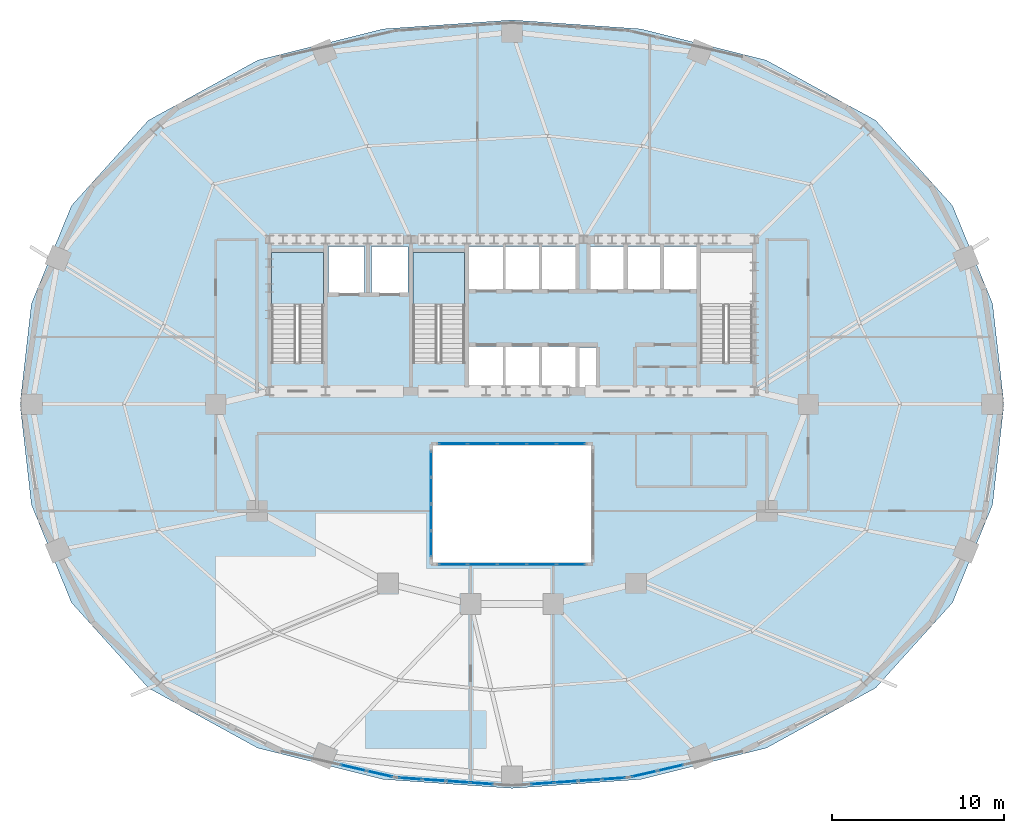
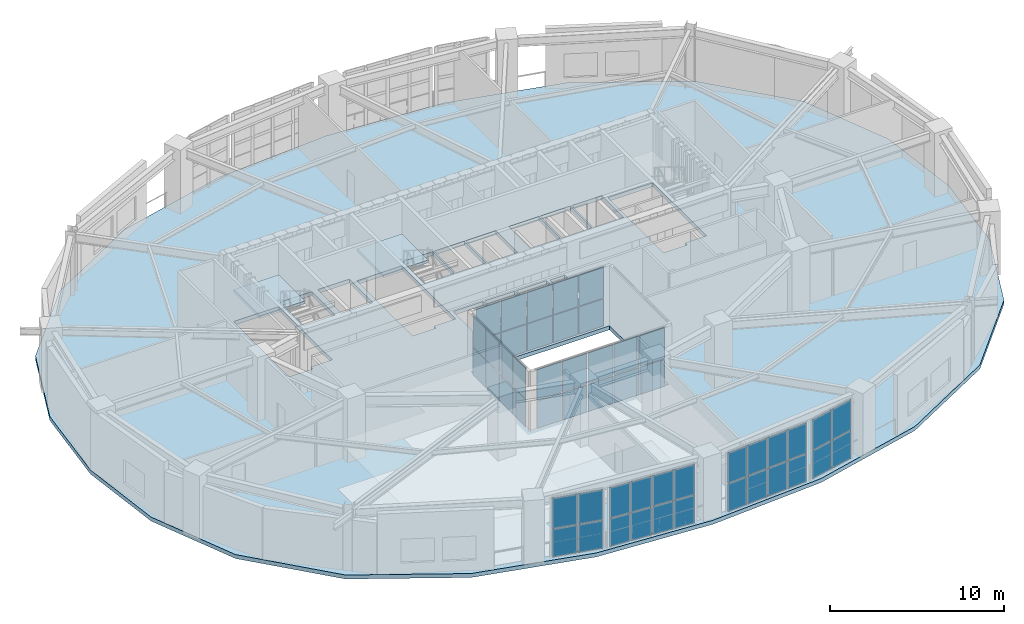
# One storey, part 8 of 15: 52 plates, 3 slabs, 9 elements without a shape of their own.
"""IFC4 building model written with IfcOpenShell, lengths in metres."""

from ifc_helpers import new_model, si_unit, direction, frame, origin, origin_2d, place, context, subcontext, project, spatial, polyline, rectangle, outline, extrude, material, layer, layer_set, type_object, element, aggregate, save


model = new_model("IFC4")

# Units and contexts
model_context = context("Model", 3, precision=1e-05, world=origin(), true_north=direction((0.0, 1.0)))
body_context = subcontext(model_context, "Body", "Model", "MODEL_VIEW")
ifc_project = project(units=[si_unit("LENGTHUNIT", "METRE"), si_unit("AREAUNIT", "SQUARE_METRE"), si_unit("VOLUMEUNIT", "CUBIC_METRE"), si_unit("PLANEANGLEUNIT", "RADIAN"), si_unit("MASSUNIT", "GRAM", prefix="KILO")], contexts=[model_context])

# Site, building, storey
site_placement = place(None, origin())
site = spatial("IfcSite", under=ifc_project, at=site_placement, CompositionType="ELEMENT")
building_placement = place(site_placement, origin())
building = spatial("IfcBuilding", under=site, at=building_placement, Name="Haldorwick Loom Tower", CompositionType="ELEMENT")
storey_placement = place(building_placement, frame((0.0, 0.0, 105.949951171875)))
storey = spatial("IfcBuildingStorey", under=building, at=storey_placement, Name="L28", CompositionType="ELEMENT", Elevation=105.949951171875)

# Curtain wall, plates
ifc_material_1 = material(Name="Thermally Broken Anodized Aluminium Curtain Wall Framing", Category="aluminium")
curtain_wall_type_1 = type_object("IfcCurtainWallType", Name="ARC-CW-03", PredefinedType="NOTDEFINED", material=ifc_material_1)
curtain_wall_1_placement = place(storey_placement, origin())
curtain_wall_1 = element("IfcCurtainWall", 1, at=curtain_wall_1_placement, inside=storey, type_object=curtain_wall_type_1, Name="L28 Atrium Glazed Screen S", PredefinedType="NOTDEFINED")
ifc_material_2 = material(Name="Triple-Glazed Low-E Argon Insulated Glazing Unit", Category="glass")
ifc_layer_1 = layer(ifc_material_2, 0.04296875, Name="Triple-Glazed Low-E Argon Insulated Glazing Unit", Category="glass")
ifc_layer_set_1 = layer_set([ifc_layer_1], Name="Triple-Glazed Low-E Argon Insulated Glazing Unit")
plate_type_1 = type_object("IfcPlateType", Name="ARC-CWP-03", PredefinedType="CURTAIN_PANEL", material=ifc_layer_set_1)
plate_1_placement = place(storey_placement, frame((39.423583984375, 16.699951171875, 0.066162109375), z_axis=(0.0, 0.0, 1.0), x_axis=(-1.0, 0.0, 0.0)))
plate_1 = element("IfcPlate", 2, at=plate_1_placement, type_object=plate_type_1, Name="CW-03 panel 1.1", PredefinedType="CURTAIN_PANEL", context=body_context, shape_type="SweptSolid", body=[
    extrude(rectangle(XDim=1.62109375, YDim=0.04296875, at=origin_2d()), origin(), (0.0, 0.0, 1.0), 1.90087890625),
])
plate_2_placement = place(storey_placement, frame((39.423583984375, 16.699951171875, 2.033203125), z_axis=(0.0, 0.0, 1.0), x_axis=(-1.0, 0.0, 0.0)))
plate_2 = element("IfcPlate", 3, at=plate_2_placement, type_object=plate_type_1, Name="CW-03 panel 1.2", PredefinedType="CURTAIN_PANEL", context=body_context, shape_type="SweptSolid", body=[
    extrude(rectangle(XDim=1.62109375, YDim=0.04296875, at=origin_2d()), origin(), (0.0, 0.0, 1.0), 2.160888671875),
])
plate_3_placement = place(storey_placement, frame((37.719970703125, 16.699951171875, 0.066162109375), z_axis=(0.0, 0.0, 1.0), x_axis=(-1.0, 0.0, 0.0)))
plate_3 = element("IfcPlate", 4, at=plate_3_placement, type_object=plate_type_1, Name="CW-03 panel 2.1", PredefinedType="CURTAIN_PANEL", context=body_context, shape_type="SweptSolid", body=[
    extrude(rectangle(XDim=1.654052734375, YDim=0.04296875, at=origin_2d()), origin(), (0.0, 0.0, 1.0), 1.90087890625),
])
plate_4_placement = place(storey_placement, frame((37.719970703125, 16.699951171875, 2.033203125), z_axis=(0.0, 0.0, 1.0), x_axis=(-1.0, 0.0, 0.0)))
plate_4 = element("IfcPlate", 5, at=plate_4_placement, type_object=plate_type_1, Name="CW-03 panel 2.2", PredefinedType="CURTAIN_PANEL", context=body_context, shape_type="SweptSolid", body=[
    extrude(rectangle(XDim=1.654052734375, YDim=0.04296875, at=origin_2d()), origin(), (0.0, 0.0, 1.0), 2.160888671875),
])
plate_5_placement = place(storey_placement, frame((36.0, 16.699951171875, 0.066162109375), z_axis=(0.0, 0.0, 1.0), x_axis=(-1.0, 0.0, 0.0)))
plate_5 = element("IfcPlate", 6, at=plate_5_placement, type_object=plate_type_1, Name="CW-03 panel 3.1", PredefinedType="CURTAIN_PANEL", context=body_context, shape_type="SweptSolid", body=[
    extrude(rectangle(XDim=1.654052734375, YDim=0.04296875, at=origin_2d()), origin(), (0.0, 0.0, 1.0), 1.90087890625),
])
plate_6_placement = place(storey_placement, frame((36.0, 16.699951171875, 2.033203125), z_axis=(0.0, 0.0, 1.0), x_axis=(-1.0, 0.0, 0.0)))
plate_6 = element("IfcPlate", 7, at=plate_6_placement, type_object=plate_type_1, Name="CW-03 panel 3.2", PredefinedType="CURTAIN_PANEL", context=body_context, shape_type="SweptSolid", body=[
    extrude(rectangle(XDim=1.654052734375, YDim=0.04296875, at=origin_2d()), origin(), (0.0, 0.0, 1.0), 2.160888671875),
])
plate_7_placement = place(storey_placement, frame((34.280029296875, 16.699951171875, 0.066162109375), z_axis=(0.0, 0.0, 1.0), x_axis=(-1.0, 0.0, 0.0)))
plate_7 = element("IfcPlate", 8, at=plate_7_placement, type_object=plate_type_1, Name="CW-03 panel 4.1", PredefinedType="CURTAIN_PANEL", context=body_context, shape_type="SweptSolid", body=[
    extrude(rectangle(XDim=1.654052734375, YDim=0.04296875, at=origin_2d()), origin(), (0.0, 0.0, 1.0), 1.90087890625),
])
plate_8_placement = place(storey_placement, frame((34.280029296875, 16.699951171875, 2.033203125), z_axis=(0.0, 0.0, 1.0), x_axis=(-1.0, 0.0, 0.0)))
plate_8 = element("IfcPlate", 9, at=plate_8_placement, type_object=plate_type_1, Name="CW-03 panel 4.2", PredefinedType="CURTAIN_PANEL", context=body_context, shape_type="SweptSolid", body=[
    extrude(rectangle(XDim=1.654052734375, YDim=0.04296875, at=origin_2d()), origin(), (0.0, 0.0, 1.0), 2.160888671875),
])
plate_9_placement = place(storey_placement, frame((32.576416015625, 16.699951171875, 0.066162109375), z_axis=(0.0, 0.0, 1.0), x_axis=(-1.0, 0.0, 0.0)))
plate_9 = element("IfcPlate", 10, at=plate_9_placement, type_object=plate_type_1, Name="CW-03 panel 5.1", PredefinedType="CURTAIN_PANEL", context=body_context, shape_type="SweptSolid", body=[
    extrude(rectangle(XDim=1.62109375, YDim=0.04296875, at=origin_2d()), origin(), (0.0, 0.0, 1.0), 1.90087890625),
])
plate_10_placement = place(storey_placement, frame((32.576416015625, 16.699951171875, 2.033203125), z_axis=(0.0, 0.0, 1.0), x_axis=(-1.0, 0.0, 0.0)))
plate_10 = element("IfcPlate", 11, at=plate_10_placement, type_object=plate_type_1, Name="CW-03 panel 5.2", PredefinedType="CURTAIN_PANEL", context=body_context, shape_type="SweptSolid", body=[
    extrude(rectangle(XDim=1.62109375, YDim=0.04296875, at=origin_2d()), origin(), (0.0, 0.0, 1.0), 2.160888671875),
])
aggregate(curtain_wall_1, [plate_1, plate_2, plate_3, plate_4, plate_5, plate_6, plate_7, plate_8, plate_9, plate_10])

curtain_wall_2_placement = place(storey_placement, origin())
curtain_wall_2 = element("IfcCurtainWall", 12, at=curtain_wall_2_placement, inside=storey, type_object=curtain_wall_type_1, Name="L28 Atrium Glazed Screen N", PredefinedType="NOTDEFINED")
plate_11_placement = place(storey_placement, frame((32.576416015625, 23.699951171875, 0.066162109375), z_axis=(0.0, 0.0, 1.0), x_axis=(1.0, 0.0, 0.0)))
plate_11 = element("IfcPlate", 13, at=plate_11_placement, type_object=plate_type_1, Name="CW-03 panel 1.1", PredefinedType="CURTAIN_PANEL", context=body_context, shape_type="SweptSolid", body=[
    extrude(rectangle(XDim=1.62109375, YDim=0.04296875, at=origin_2d()), origin(), (0.0, 0.0, 1.0), 1.90087890625),
])
plate_12_placement = place(storey_placement, frame((32.576416015625, 23.699951171875, 2.033203125), z_axis=(0.0, 0.0, 1.0), x_axis=(1.0, 0.0, 0.0)))
plate_12 = element("IfcPlate", 14, at=plate_12_placement, type_object=plate_type_1, Name="CW-03 panel 1.2", PredefinedType="CURTAIN_PANEL", context=body_context, shape_type="SweptSolid", body=[
    extrude(rectangle(XDim=1.62109375, YDim=0.04296875, at=origin_2d()), origin(), (0.0, 0.0, 1.0), 2.160888671875),
])
plate_13_placement = place(storey_placement, frame((34.280029296875, 23.699951171875, 0.066162109375), z_axis=(0.0, 0.0, 1.0), x_axis=(1.0, 0.0, 0.0)))
plate_13 = element("IfcPlate", 15, at=plate_13_placement, type_object=plate_type_1, Name="CW-03 panel 2.1", PredefinedType="CURTAIN_PANEL", context=body_context, shape_type="SweptSolid", body=[
    extrude(rectangle(XDim=1.654052734375, YDim=0.04296875, at=origin_2d()), origin(), (0.0, 0.0, 1.0), 1.90087890625),
])
plate_14_placement = place(storey_placement, frame((34.280029296875, 23.699951171875, 2.033203125), z_axis=(0.0, 0.0, 1.0), x_axis=(1.0, 0.0, 0.0)))
plate_14 = element("IfcPlate", 16, at=plate_14_placement, type_object=plate_type_1, Name="CW-03 panel 2.2", PredefinedType="CURTAIN_PANEL", context=body_context, shape_type="SweptSolid", body=[
    extrude(rectangle(XDim=1.654052734375, YDim=0.04296875, at=origin_2d()), origin(), (0.0, 0.0, 1.0), 2.160888671875),
])
plate_15_placement = place(storey_placement, frame((36.0, 23.699951171875, 0.066162109375), z_axis=(0.0, 0.0, 1.0), x_axis=(1.0, 0.0, 0.0)))
plate_15 = element("IfcPlate", 17, at=plate_15_placement, type_object=plate_type_1, Name="CW-03 panel 3.1", PredefinedType="CURTAIN_PANEL", context=body_context, shape_type="SweptSolid", body=[
    extrude(rectangle(XDim=1.654052734375, YDim=0.04296875, at=origin_2d()), origin(), (0.0, 0.0, 1.0), 1.90087890625),
])
plate_16_placement = place(storey_placement, frame((36.0, 23.699951171875, 2.033203125), z_axis=(0.0, 0.0, 1.0), x_axis=(1.0, 0.0, 0.0)))
plate_16 = element("IfcPlate", 18, at=plate_16_placement, type_object=plate_type_1, Name="CW-03 panel 3.2", PredefinedType="CURTAIN_PANEL", context=body_context, shape_type="SweptSolid", body=[
    extrude(rectangle(XDim=1.654052734375, YDim=0.04296875, at=origin_2d()), origin(), (0.0, 0.0, 1.0), 2.160888671875),
])
plate_17_placement = place(storey_placement, frame((37.719970703125, 23.699951171875, 0.066162109375), z_axis=(0.0, 0.0, 1.0), x_axis=(1.0, 0.0, 0.0)))
plate_17 = element("IfcPlate", 19, at=plate_17_placement, type_object=plate_type_1, Name="CW-03 panel 4.1", PredefinedType="CURTAIN_PANEL", context=body_context, shape_type="SweptSolid", body=[
    extrude(rectangle(XDim=1.654052734375, YDim=0.04296875, at=origin_2d()), origin(), (0.0, 0.0, 1.0), 1.90087890625),
])
plate_18_placement = place(storey_placement, frame((37.719970703125, 23.699951171875, 2.033203125), z_axis=(0.0, 0.0, 1.0), x_axis=(1.0, 0.0, 0.0)))
plate_18 = element("IfcPlate", 20, at=plate_18_placement, type_object=plate_type_1, Name="CW-03 panel 4.2", PredefinedType="CURTAIN_PANEL", context=body_context, shape_type="SweptSolid", body=[
    extrude(rectangle(XDim=1.654052734375, YDim=0.04296875, at=origin_2d()), origin(), (0.0, 0.0, 1.0), 2.160888671875),
])
plate_19_placement = place(storey_placement, frame((39.423583984375, 23.699951171875, 0.066162109375), z_axis=(0.0, 0.0, 1.0), x_axis=(1.0, 0.0, 0.0)))
plate_19 = element("IfcPlate", 21, at=plate_19_placement, type_object=plate_type_1, Name="CW-03 panel 5.1", PredefinedType="CURTAIN_PANEL", context=body_context, shape_type="SweptSolid", body=[
    extrude(rectangle(XDim=1.62109375, YDim=0.04296875, at=origin_2d()), origin(), (0.0, 0.0, 1.0), 1.90087890625),
])
plate_20_placement = place(storey_placement, frame((39.423583984375, 23.699951171875, 2.033203125), z_axis=(0.0, 0.0, 1.0), x_axis=(1.0, 0.0, 0.0)))
plate_20 = element("IfcPlate", 22, at=plate_20_placement, type_object=plate_type_1, Name="CW-03 panel 5.2", PredefinedType="CURTAIN_PANEL", context=body_context, shape_type="SweptSolid", body=[
    extrude(rectangle(XDim=1.62109375, YDim=0.04296875, at=origin_2d()), origin(), (0.0, 0.0, 1.0), 2.160888671875),
])
aggregate(curtain_wall_2, [plate_11, plate_12, plate_13, plate_14, plate_15, plate_16, plate_17, plate_18, plate_19, plate_20])

curtain_wall_3_placement = place(storey_placement, origin())
curtain_wall_3 = element("IfcCurtainWall", 23, at=curtain_wall_3_placement, inside=storey, type_object=curtain_wall_type_1, Name="L28 Atrium Glazed Screen W", PredefinedType="NOTDEFINED")
plate_21_placement = place(storey_placement, frame((31.300048828125, 17.8916015625, 0.066162109375), z_axis=(0.0, 0.0, 1.0), x_axis=(0.0, 1.0, 0.0)))
plate_21 = element("IfcPlate", 24, at=plate_21_placement, type_object=plate_type_1, Name="CW-03 panel 1.1", PredefinedType="CURTAIN_PANEL", context=body_context, shape_type="SweptSolid", body=[
    extrude(rectangle(XDim=1.450927734375, YDim=0.04296875, at=origin_2d()), origin(), (0.0, 0.0, 1.0), 1.90087890625),
])
plate_22_placement = place(storey_placement, frame((31.300048828125, 17.8916015625, 2.033203125), z_axis=(0.0, 0.0, 1.0), x_axis=(0.0, 1.0, 0.0)))
plate_22 = element("IfcPlate", 25, at=plate_22_placement, type_object=plate_type_1, Name="CW-03 panel 1.2", PredefinedType="CURTAIN_PANEL", context=body_context, shape_type="SweptSolid", body=[
    extrude(rectangle(XDim=1.450927734375, YDim=0.04296875, at=origin_2d()), origin(), (0.0, 0.0, 1.0), 2.160888671875),
])
plate_23_placement = place(storey_placement, frame((31.300048828125, 19.425048828125, 0.066162109375), z_axis=(0.0, 0.0, 1.0), x_axis=(0.0, 1.0, 0.0)))
plate_23 = element("IfcPlate", 26, at=plate_23_placement, type_object=plate_type_1, Name="CW-03 panel 2.1", PredefinedType="CURTAIN_PANEL", context=body_context, shape_type="SweptSolid", body=[
    extrude(rectangle(XDim=1.48388671875, YDim=0.04296875, at=origin_2d()), origin(), (0.0, 0.0, 1.0), 1.90087890625),
])
plate_24_placement = place(storey_placement, frame((31.300048828125, 19.425048828125, 2.033203125), z_axis=(0.0, 0.0, 1.0), x_axis=(0.0, 1.0, 0.0)))
plate_24 = element("IfcPlate", 27, at=plate_24_placement, type_object=plate_type_1, Name="CW-03 panel 2.2", PredefinedType="CURTAIN_PANEL", context=body_context, shape_type="SweptSolid", body=[
    extrude(rectangle(XDim=1.48388671875, YDim=0.04296875, at=origin_2d()), origin(), (0.0, 0.0, 1.0), 2.160888671875),
])
plate_25_placement = place(storey_placement, frame((31.300048828125, 20.97509765625, 0.066162109375), z_axis=(0.0, 0.0, 1.0), x_axis=(0.0, 1.0, 0.0)))
plate_25 = element("IfcPlate", 28, at=plate_25_placement, type_object=plate_type_1, Name="CW-03 panel 3.1", PredefinedType="CURTAIN_PANEL", context=body_context, shape_type="SweptSolid", body=[
    extrude(rectangle(XDim=1.48388671875, YDim=0.04296875, at=origin_2d()), origin(), (0.0, 0.0, 1.0), 1.90087890625),
])
plate_26_placement = place(storey_placement, frame((31.300048828125, 20.97509765625, 2.033203125), z_axis=(0.0, 0.0, 1.0), x_axis=(0.0, 1.0, 0.0)))
plate_26 = element("IfcPlate", 29, at=plate_26_placement, type_object=plate_type_1, Name="CW-03 panel 3.2", PredefinedType="CURTAIN_PANEL", context=body_context, shape_type="SweptSolid", body=[
    extrude(rectangle(XDim=1.48388671875, YDim=0.04296875, at=origin_2d()), origin(), (0.0, 0.0, 1.0), 2.160888671875),
])
plate_27_placement = place(storey_placement, frame((31.300048828125, 22.508544921875, 0.066162109375), z_axis=(0.0, 0.0, 1.0), x_axis=(0.0, 1.0, 0.0)))
plate_27 = element("IfcPlate", 30, at=plate_27_placement, type_object=plate_type_1, Name="CW-03 panel 4.1", PredefinedType="CURTAIN_PANEL", context=body_context, shape_type="SweptSolid", body=[
    extrude(rectangle(XDim=1.450927734375, YDim=0.04296875, at=origin_2d()), origin(), (0.0, 0.0, 1.0), 1.90087890625),
])
plate_28_placement = place(storey_placement, frame((31.300048828125, 22.508544921875, 2.033203125), z_axis=(0.0, 0.0, 1.0), x_axis=(0.0, 1.0, 0.0)))
plate_28 = element("IfcPlate", 31, at=plate_28_placement, type_object=plate_type_1, Name="CW-03 panel 4.2", PredefinedType="CURTAIN_PANEL", context=body_context, shape_type="SweptSolid", body=[
    extrude(rectangle(XDim=1.450927734375, YDim=0.04296875, at=origin_2d()), origin(), (0.0, 0.0, 1.0), 2.160888671875),
])
aggregate(curtain_wall_3, [plate_21, plate_22, plate_23, plate_24, plate_25, plate_26, plate_27, plate_28])

curtain_wall_type_2 = type_object("IfcCurtainWallType", Name="ARC-CW-04", PredefinedType="NOTDEFINED", material=ifc_material_1)
curtain_wall_4_placement = place(storey_placement, origin())
curtain_wall_4 = element("IfcCurtainWall", 32, at=curtain_wall_4_placement, inside=storey, type_object=curtain_wall_type_2, Name="L28 Facade Curtain Wall CW-04 Bay 17", PredefinedType="NOTDEFINED")
ifc_layer_2 = layer(ifc_material_2, 0.0458984375, Name="Triple-Glazed Low-E Argon Insulated Glazing Unit", Category="glass")
ifc_layer_set_2 = layer_set([ifc_layer_2], Name="Triple-Glazed Low-E Argon Insulated Glazing Unit")
plate_type_2 = type_object("IfcPlateType", Name="ARC-CWP-04", PredefinedType="CURTAIN_PANEL", material=ifc_layer_set_2)
plate_29_placement = place(storey_placement, frame((26.795654296875, 4.887939453125, 0.072021484375), z_axis=(0.0, 0.0, 1.0), x_axis=(0.974593436624, -0.22398132353, 0.0)))
plate_29 = element("IfcPlate", 33, at=plate_29_placement, type_object=plate_type_2, Name="CW-04 panel 1.1", PredefinedType="CURTAIN_PANEL", context=body_context, shape_type="SweptSolid", body=[
    extrude(rectangle(XDim=1.48486328125, YDim=0.0458984375, at=origin_2d()), origin(), (0.0, 0.0, 1.0), 1.94189453125),
])
plate_30_placement = place(storey_placement, frame((26.795654296875, 4.887939453125, 2.0859375), z_axis=(0.0, 0.0, 1.0), x_axis=(0.974593436624, -0.22398132353, 0.0)))
plate_30 = element("IfcPlate", 34, at=plate_30_placement, type_object=plate_type_2, Name="CW-04 panel 1.2", PredefinedType="CURTAIN_PANEL", context=body_context, shape_type="SweptSolid", body=[
    extrude(rectangle(XDim=1.48486328125, YDim=0.0458984375, at=origin_2d()), origin(), (0.0, 0.0, 1.0), 2.10205078125),
])
plate_31_placement = place(storey_placement, frame((28.312744140625, 4.539306640625, 0.072021484375), z_axis=(0.0, 0.0, 1.0), x_axis=(0.974593436624, -0.22398132353, 0.0)))
plate_31 = element("IfcPlate", 35, at=plate_31_placement, type_object=plate_type_2, Name="CW-04 panel 2.1", PredefinedType="CURTAIN_PANEL", context=body_context, shape_type="SweptSolid", body=[
    extrude(rectangle(XDim=1.48486328125, YDim=0.0458984375, at=origin_2d()), origin(), (0.0, 0.0, 1.0), 1.94189453125),
])
plate_32_placement = place(storey_placement, frame((28.312744140625, 4.539306640625, 2.0859375), z_axis=(0.0, 0.0, 1.0), x_axis=(0.974593436624, -0.22398132353, 0.0)))
plate_32 = element("IfcPlate", 36, at=plate_32_placement, type_object=plate_type_2, Name="CW-04 panel 2.2", PredefinedType="CURTAIN_PANEL", context=body_context, shape_type="SweptSolid", body=[
    extrude(rectangle(XDim=1.48486328125, YDim=0.0458984375, at=origin_2d()), origin(), (0.0, 0.0, 1.0), 2.10205078125),
])
aggregate(curtain_wall_4, [plate_29, plate_30, plate_31, plate_32])

curtain_wall_5_placement = place(storey_placement, origin())
curtain_wall_5 = element("IfcCurtainWall", 37, at=curtain_wall_5_placement, inside=storey, type_object=curtain_wall_type_2, Name="L28 Facade Curtain Wall CW-04 Bay 18", PredefinedType="NOTDEFINED")
plate_33_placement = place(storey_placement, frame((30.098388671875, 4.266845703125, 0.072021484375), z_axis=(0.0, 0.0, 1.0), x_axis=(0.997651387223, -0.068496055152, 0.0)))
plate_33 = element("IfcPlate", 38, at=plate_33_placement, type_object=plate_type_2, Name="CW-04 panel 1.1", PredefinedType="CURTAIN_PANEL", context=body_context, shape_type="SweptSolid", body=[
    extrude(rectangle(XDim=1.291015625, YDim=0.0458984375, at=origin_2d()), origin(), (0.0, 0.0, 1.0), 1.94189453125),
])
plate_34_placement = place(storey_placement, frame((30.098388671875, 4.266845703125, 2.0859375), z_axis=(0.0, 0.0, 1.0), x_axis=(0.997651387223, -0.068496055152, 0.0)))
plate_34 = element("IfcPlate", 39, at=plate_34_placement, type_object=plate_type_2, Name="CW-04 panel 1.2", PredefinedType="CURTAIN_PANEL", context=body_context, shape_type="SweptSolid", body=[
    extrude(rectangle(XDim=1.291015625, YDim=0.0458984375, at=origin_2d()), origin(), (0.0, 0.0, 1.0), 2.10205078125),
])
plate_35_placement = place(storey_placement, frame((31.47607421875, 4.172119140625, 0.072021484375), z_axis=(0.0, 0.0, 1.0), x_axis=(0.997651387223, -0.068496055152, 0.0)))
plate_35 = element("IfcPlate", 40, at=plate_35_placement, type_object=plate_type_2, Name="CW-04 panel 2.1", PredefinedType="CURTAIN_PANEL", context=body_context, shape_type="SweptSolid", body=[
    extrude(rectangle(XDim=1.326904296875, YDim=0.0458984375, at=origin_2d()), origin(), (0.0, 0.0, 1.0), 1.94189453125),
])
plate_36_placement = place(storey_placement, frame((31.47607421875, 4.172119140625, 2.0859375), z_axis=(0.0, 0.0, 1.0), x_axis=(0.997651387223, -0.068496055152, 0.0)))
plate_36 = element("IfcPlate", 41, at=plate_36_placement, type_object=plate_type_2, Name="CW-04 panel 2.2", PredefinedType="CURTAIN_PANEL", context=body_context, shape_type="SweptSolid", body=[
    extrude(rectangle(XDim=1.326904296875, YDim=0.0458984375, at=origin_2d()), origin(), (0.0, 0.0, 1.0), 2.10205078125),
])
plate_37_placement = place(storey_placement, frame((32.871826171875, 4.076416015625, 0.072021484375), z_axis=(0.0, 0.0, 1.0), x_axis=(0.997651387223, -0.068496055152, 0.0)))
plate_37 = element("IfcPlate", 42, at=plate_37_placement, type_object=plate_type_2, Name="CW-04 panel 3.1", PredefinedType="CURTAIN_PANEL", context=body_context, shape_type="SweptSolid", body=[
    extrude(rectangle(XDim=1.326904296875, YDim=0.0458984375, at=origin_2d()), origin(), (0.0, 0.0, 1.0), 1.94189453125),
])
plate_38_placement = place(storey_placement, frame((32.871826171875, 4.076416015625, 2.0859375), z_axis=(0.0, 0.0, 1.0), x_axis=(0.997651387223, -0.068496055152, 0.0)))
plate_38 = element("IfcPlate", 43, at=plate_38_placement, type_object=plate_type_2, Name="CW-04 panel 3.2", PredefinedType="CURTAIN_PANEL", context=body_context, shape_type="SweptSolid", body=[
    extrude(rectangle(XDim=1.326904296875, YDim=0.0458984375, at=origin_2d()), origin(), (0.0, 0.0, 1.0), 2.10205078125),
])
plate_39_placement = place(storey_placement, frame((34.24951171875, 3.981689453125, 0.072021484375), z_axis=(0.0, 0.0, 1.0), x_axis=(0.997651387223, -0.068496055152, 0.0)))
plate_39 = element("IfcPlate", 44, at=plate_39_placement, type_object=plate_type_2, Name="CW-04 panel 4.1", PredefinedType="CURTAIN_PANEL", context=body_context, shape_type="SweptSolid", body=[
    extrude(rectangle(XDim=1.291015625, YDim=0.0458984375, at=origin_2d()), origin(), (0.0, 0.0, 1.0), 1.94189453125),
])
plate_40_placement = place(storey_placement, frame((34.24951171875, 3.981689453125, 2.0859375), z_axis=(0.0, 0.0, 1.0), x_axis=(0.997651387223, -0.068496055152, 0.0)))
plate_40 = element("IfcPlate", 45, at=plate_40_placement, type_object=plate_type_2, Name="CW-04 panel 4.2", PredefinedType="CURTAIN_PANEL", context=body_context, shape_type="SweptSolid", body=[
    extrude(rectangle(XDim=1.291015625, YDim=0.0458984375, at=origin_2d()), origin(), (0.0, 0.0, 1.0), 2.10205078125),
])
aggregate(curtain_wall_5, [plate_33, plate_34, plate_35, plate_36, plate_37, plate_38, plate_39, plate_40])

curtain_wall_6_placement = place(storey_placement, origin())
curtain_wall_6 = element("IfcCurtainWall", 46, at=curtain_wall_6_placement, inside=storey, type_object=curtain_wall_type_2, Name="L28 Facade Curtain Wall CW-04 Bay 19", PredefinedType="NOTDEFINED")
plate_41_placement = place(storey_placement, frame((37.75048828125, 3.981689453125, 0.072021484375), z_axis=(0.0, 0.0, 1.0), x_axis=(0.997651387223, 0.068496055152, 0.0)))
plate_41 = element("IfcPlate", 47, at=plate_41_placement, type_object=plate_type_2, Name="CW-04 panel 1.1", PredefinedType="CURTAIN_PANEL", context=body_context, shape_type="SweptSolid", body=[
    extrude(rectangle(XDim=1.291015625, YDim=0.0458984375, at=origin_2d()), origin(), (0.0, 0.0, 1.0), 1.94189453125),
])
plate_42_placement = place(storey_placement, frame((37.75048828125, 3.981689453125, 2.0859375), z_axis=(0.0, 0.0, 1.0), x_axis=(0.997651387223, 0.068496055152, 0.0)))
plate_42 = element("IfcPlate", 48, at=plate_42_placement, type_object=plate_type_2, Name="CW-04 panel 1.2", PredefinedType="CURTAIN_PANEL", context=body_context, shape_type="SweptSolid", body=[
    extrude(rectangle(XDim=1.291015625, YDim=0.0458984375, at=origin_2d()), origin(), (0.0, 0.0, 1.0), 2.10205078125),
])
plate_43_placement = place(storey_placement, frame((39.128173828125, 4.076416015625, 0.072021484375), z_axis=(0.0, 0.0, 1.0), x_axis=(0.997651387223, 0.068496055152, 0.0)))
plate_43 = element("IfcPlate", 49, at=plate_43_placement, type_object=plate_type_2, Name="CW-04 panel 2.1", PredefinedType="CURTAIN_PANEL", context=body_context, shape_type="SweptSolid", body=[
    extrude(rectangle(XDim=1.326904296875, YDim=0.0458984375, at=origin_2d()), origin(), (0.0, 0.0, 1.0), 1.94189453125),
])
plate_44_placement = place(storey_placement, frame((39.128173828125, 4.076416015625, 2.0859375), z_axis=(0.0, 0.0, 1.0), x_axis=(0.997651387223, 0.068496055152, 0.0)))
plate_44 = element("IfcPlate", 50, at=plate_44_placement, type_object=plate_type_2, Name="CW-04 panel 2.2", PredefinedType="CURTAIN_PANEL", context=body_context, shape_type="SweptSolid", body=[
    extrude(rectangle(XDim=1.326904296875, YDim=0.0458984375, at=origin_2d()), origin(), (0.0, 0.0, 1.0), 2.10205078125),
])
plate_45_placement = place(storey_placement, frame((40.52392578125, 4.172119140625, 0.072021484375), z_axis=(0.0, 0.0, 1.0), x_axis=(0.997651387223, 0.068496055152, 0.0)))
plate_45 = element("IfcPlate", 51, at=plate_45_placement, type_object=plate_type_2, Name="CW-04 panel 3.1", PredefinedType="CURTAIN_PANEL", context=body_context, shape_type="SweptSolid", body=[
    extrude(rectangle(XDim=1.326904296875, YDim=0.0458984375, at=origin_2d()), origin(), (0.0, 0.0, 1.0), 1.94189453125),
])
plate_46_placement = place(storey_placement, frame((40.52392578125, 4.172119140625, 2.0859375), z_axis=(0.0, 0.0, 1.0), x_axis=(0.997651387223, 0.068496055152, 0.0)))
plate_46 = element("IfcPlate", 52, at=plate_46_placement, type_object=plate_type_2, Name="CW-04 panel 3.2", PredefinedType="CURTAIN_PANEL", context=body_context, shape_type="SweptSolid", body=[
    extrude(rectangle(XDim=1.326904296875, YDim=0.0458984375, at=origin_2d()), origin(), (0.0, 0.0, 1.0), 2.10205078125),
])
plate_47_placement = place(storey_placement, frame((41.901611328125, 4.266845703125, 0.072021484375), z_axis=(0.0, 0.0, 1.0), x_axis=(0.997651387223, 0.068496055152, 0.0)))
plate_47 = element("IfcPlate", 53, at=plate_47_placement, type_object=plate_type_2, Name="CW-04 panel 4.1", PredefinedType="CURTAIN_PANEL", context=body_context, shape_type="SweptSolid", body=[
    extrude(rectangle(XDim=1.291015625, YDim=0.0458984375, at=origin_2d()), origin(), (0.0, 0.0, 1.0), 1.94189453125),
])
plate_48_placement = place(storey_placement, frame((41.901611328125, 4.266845703125, 2.0859375), z_axis=(0.0, 0.0, 1.0), x_axis=(0.997651387223, 0.068496055152, 0.0)))
plate_48 = element("IfcPlate", 54, at=plate_48_placement, type_object=plate_type_2, Name="CW-04 panel 4.2", PredefinedType="CURTAIN_PANEL", context=body_context, shape_type="SweptSolid", body=[
    extrude(rectangle(XDim=1.291015625, YDim=0.0458984375, at=origin_2d()), origin(), (0.0, 0.0, 1.0), 2.10205078125),
])
aggregate(curtain_wall_6, [plate_41, plate_42, plate_43, plate_44, plate_45, plate_46, plate_47, plate_48])

curtain_wall_7_placement = place(storey_placement, origin())
curtain_wall_7 = element("IfcCurtainWall", 55, at=curtain_wall_7_placement, inside=storey, type_object=curtain_wall_type_2, Name="L28 Facade Curtain Wall CW-04 Bay 20", PredefinedType="NOTDEFINED")
plate_49_placement = place(storey_placement, frame((43.687255859375, 4.539306640625, 0.072021484375), z_axis=(0.0, 0.0, 1.0), x_axis=(0.974593436624, 0.22398132353, 0.0)))
plate_49 = element("IfcPlate", 56, at=plate_49_placement, type_object=plate_type_2, Name="CW-04 panel 1.1", PredefinedType="CURTAIN_PANEL", context=body_context, shape_type="SweptSolid", body=[
    extrude(rectangle(XDim=1.48486328125, YDim=0.0458984375, at=origin_2d()), origin(), (0.0, 0.0, 1.0), 1.94189453125),
])
plate_50_placement = place(storey_placement, frame((43.687255859375, 4.539306640625, 2.0859375), z_axis=(0.0, 0.0, 1.0), x_axis=(0.974593436624, 0.22398132353, 0.0)))
plate_50 = element("IfcPlate", 57, at=plate_50_placement, type_object=plate_type_2, Name="CW-04 panel 1.2", PredefinedType="CURTAIN_PANEL", context=body_context, shape_type="SweptSolid", body=[
    extrude(rectangle(XDim=1.48486328125, YDim=0.0458984375, at=origin_2d()), origin(), (0.0, 0.0, 1.0), 2.10205078125),
])
plate_51_placement = place(storey_placement, frame((45.204345703125, 4.887939453125, 0.072021484375), z_axis=(0.0, 0.0, 1.0), x_axis=(0.974593436624, 0.22398132353, 0.0)))
plate_51 = element("IfcPlate", 58, at=plate_51_placement, type_object=plate_type_2, Name="CW-04 panel 2.1", PredefinedType="CURTAIN_PANEL", context=body_context, shape_type="SweptSolid", body=[
    extrude(rectangle(XDim=1.48486328125, YDim=0.0458984375, at=origin_2d()), origin(), (0.0, 0.0, 1.0), 1.94189453125),
])
plate_52_placement = place(storey_placement, frame((45.204345703125, 4.887939453125, 2.0859375), z_axis=(0.0, 0.0, 1.0), x_axis=(0.974593436624, 0.22398132353, 0.0)))
plate_52 = element("IfcPlate", 59, at=plate_52_placement, type_object=plate_type_2, Name="CW-04 panel 2.2", PredefinedType="CURTAIN_PANEL", context=body_context, shape_type="SweptSolid", body=[
    extrude(rectangle(XDim=1.48486328125, YDim=0.0458984375, at=origin_2d()), origin(), (0.0, 0.0, 1.0), 2.10205078125),
])
aggregate(curtain_wall_7, [plate_49, plate_50, plate_51, plate_52])

# Stair, slab
ifc_material_3 = material(Name="Concrete C40 (40 MPa)", Category="concrete")
stair_type = type_object("IfcStairType", Name="STR-STR-CORE", PredefinedType="HALF_TURN_STAIR", material=ifc_material_3)
stair_1_placement = place(storey_placement, origin())
stair_1 = element("IfcStair", 60, at=stair_1_placement, inside=storey, type_object=stair_type, Name="L28 Exit Stair ST-01", PredefinedType="HALF_TURN_STAIR")
ifc_layer_3 = layer(ifc_material_3, 0.199951171875, Name="Concrete C40 (40 MPa)", Category="concrete")
ifc_layer_set_3 = layer_set([ifc_layer_3], Name="Concrete C40 (40 MPa)")
slab_type_1 = type_object("IfcSlabType", Name="STR-SLB-LAND200", PredefinedType="LANDING", material=ifc_layer_set_3)
slab_1_placement = place(storey_placement, frame((0.0, 0.0, 2.050048828125)))
slab_1 = element("IfcSlab", 61, at=slab_1_placement, type_object=slab_type_1, Name="ST-01 landing 1", PredefinedType="LANDING", context=body_context, shape_type="SweptSolid", body=[
    extrude(outline(polyline([(25.050048828125, 31.760009765625), (25.050048828125, 34.800048828125), (22.050048828125, 34.800048828125), (22.050048828125, 31.760009765625), (25.050048828125, 31.760009765625)])), origin(), (0.0, 0.0, 1.0), 0.199951171875),
])
aggregate(stair_1, [slab_1])

stair_2_placement = place(storey_placement, origin())
stair_2 = element("IfcStair", 62, at=stair_2_placement, inside=storey, type_object=stair_type, Name="L28 Exit Stair ST-03", PredefinedType="HALF_TURN_STAIR")
slab_2_placement = place(storey_placement, frame((0.0, 0.0, 2.050048828125)))
slab_2 = element("IfcSlab", 63, at=slab_2_placement, type_object=slab_type_1, Name="ST-03 landing 1", PredefinedType="LANDING", context=body_context, shape_type="SweptSolid", body=[
    extrude(outline(polyline([(33.25, 31.760009765625), (33.25, 34.800048828125), (30.25, 34.800048828125), (30.25, 31.760009765625), (33.25, 31.760009765625)])), origin(), (0.0, 0.0, 1.0), 0.199951171875),
])
aggregate(stair_2, [slab_2])

# Slab
ifc_layer_4 = layer(ifc_material_3, 0.280029296875, Name="Concrete C40 (40 MPa)", Category="concrete")
ifc_layer_set_4 = layer_set([ifc_layer_4], Name="Concrete C40 (40 MPa)")
slab_type_2 = type_object("IfcSlabType", Name="STR-SLB-SKY280", PredefinedType="FLOOR", material=ifc_layer_set_4)
slab_3_placement = place(storey_placement, frame((0.0, 0.0, -0.280029296875)))
element("IfcSlab", 64, at=slab_3_placement, inside=storey, type_object=slab_type_2, Name="L28 Conservatory Structural Floor Slab", PredefinedType="FLOOR", context=body_context, shape_type="SweptSolid", body=[
    extrude(outline(polyline([(57.101806640625, 9.523193359375), (61.566162109375, 14.474609375), (63.894775390625, 20.163818359375), (64.5576171875, 26.0), (63.894775390625, 31.836181640625), (61.566162109375, 37.525390625), (57.101806640625, 42.476806640625), (50.760498046875, 45.962646484375), (43.474365234375, 47.781005859375), (36.0, 48.29833984375), (28.525634765625, 47.781005859375), (21.239501953125, 45.962646484375), (14.898193359375, 42.476806640625), (10.433837890625, 37.525390625), (8.105224609375, 31.836181640625), (7.4423828125, 26.0), (8.105224609375, 20.163818359375), (10.433837890625, 14.474609375), (14.898193359375, 9.523193359375), (21.239501953125, 6.037353515625), (28.525634765625, 4.218994140625), (36.0, 3.70166015625), (43.474365234375, 4.218994140625), (50.760498046875, 6.037353515625), (57.101806640625, 9.523193359375)]), holes=[polyline([(31.39990234375, 23.60009765625), (40.60009765625, 23.60009765625), (40.60009765625, 16.800048828125), (31.39990234375, 16.800048828125), (31.39990234375, 23.60009765625)]), polyline([(33.5, 26.85009765625), (33.5, 29.35009765625), (35.5, 29.35009765625), (35.5, 26.85009765625), (33.5, 26.85009765625)]), polyline([(22.050048828125, 28.39990234375), (22.050048828125, 34.800048828125), (25.050048828125, 34.800048828125), (25.050048828125, 28.639892578125), (23.6201171875, 28.639892578125), (23.6201171875, 28.39990234375), (22.050048828125, 28.39990234375)]), polyline([(30.25, 28.39990234375), (30.25, 34.800048828125), (33.25, 34.800048828125), (33.25, 28.639892578125), (31.820068359375, 28.639892578125), (31.820068359375, 28.39990234375), (30.25, 28.39990234375)]), polyline([(25.35009765625, 32.449951171875), (25.35009765625, 35.14990234375), (27.449951171875, 35.14990234375), (27.449951171875, 32.449951171875), (25.35009765625, 32.449951171875)]), polyline([(27.85009765625, 32.449951171875), (27.85009765625, 35.14990234375), (29.949951171875, 35.14990234375), (29.949951171875, 32.449951171875), (27.85009765625, 32.449951171875)]), polyline([(33.5, 32.64990234375), (33.5, 35.14990234375), (35.5, 35.14990234375), (35.5, 32.64990234375), (33.5, 32.64990234375)]), polyline([(35.60009765625, 32.64990234375), (35.60009765625, 35.14990234375), (37.60009765625, 35.14990234375), (37.60009765625, 32.64990234375), (35.60009765625, 32.64990234375)]), polyline([(35.60009765625, 26.85009765625), (35.60009765625, 29.35009765625), (37.60009765625, 29.35009765625), (37.60009765625, 26.85009765625), (35.60009765625, 26.85009765625)]), polyline([(37.699951171875, 26.85009765625), (37.699951171875, 29.35009765625), (39.699951171875, 29.35009765625), (39.699951171875, 26.85009765625), (37.699951171875, 26.85009765625)]), polyline([(39.89990234375, 26.89990234375), (39.89990234375, 29.300048828125), (40.89990234375, 29.300048828125), (40.89990234375, 26.89990234375), (39.89990234375, 26.89990234375)]), polyline([(46.949951171875, 28.39990234375), (46.949951171875, 34.800048828125), (49.949951171875, 34.800048828125), (49.949951171875, 28.639892578125), (48.52001953125, 28.639892578125), (48.52001953125, 28.39990234375), (46.949951171875, 28.39990234375)]), polyline([(37.699951171875, 32.64990234375), (37.699951171875, 35.14990234375), (39.699951171875, 35.14990234375), (39.699951171875, 32.64990234375), (37.699951171875, 32.64990234375)]), polyline([(40.550048828125, 32.64990234375), (40.550048828125, 35.14990234375), (42.550048828125, 35.14990234375), (42.550048828125, 32.64990234375), (40.550048828125, 32.64990234375)]), polyline([(42.64990234375, 32.64990234375), (42.64990234375, 35.14990234375), (44.64990234375, 35.14990234375), (44.64990234375, 32.64990234375), (42.64990234375, 32.64990234375)]), polyline([(44.75, 32.64990234375), (44.75, 35.14990234375), (46.75, 35.14990234375), (46.75, 32.64990234375), (44.75, 32.64990234375)])]), origin(), (0.0, 0.0, 1.0), 0.280029296875),
])

save(model, "model.ifc")
